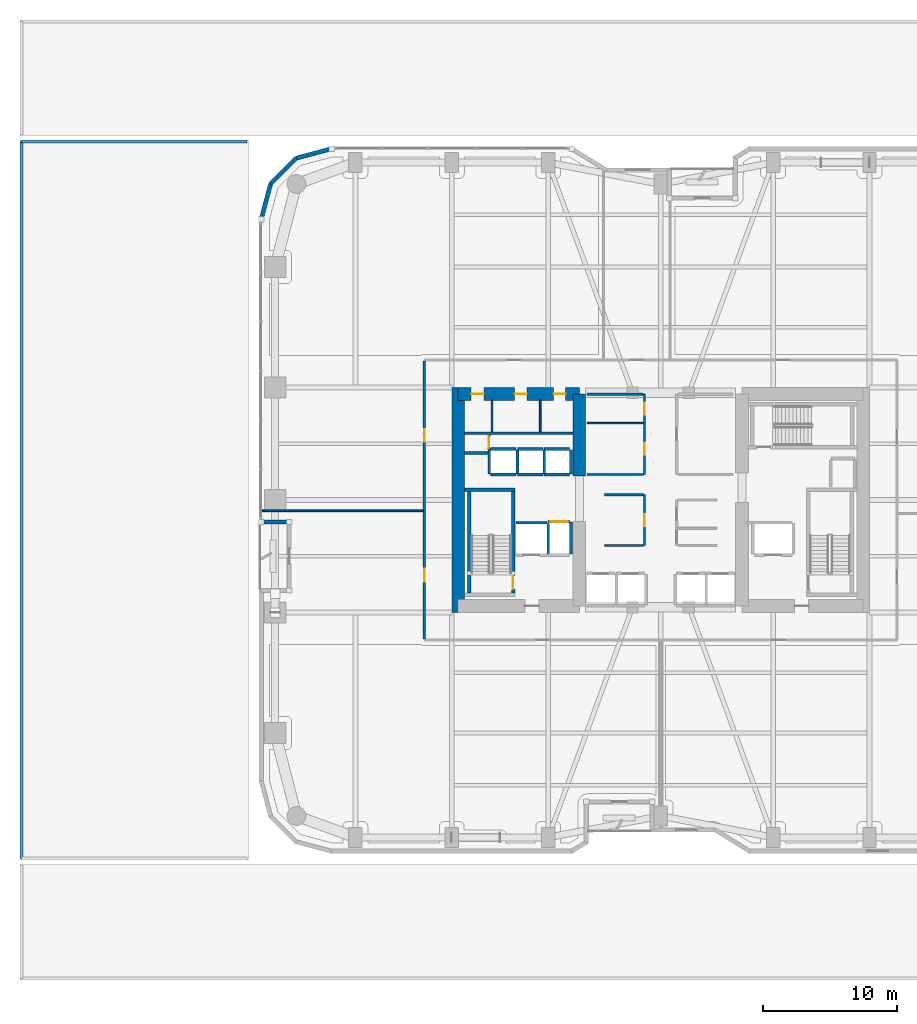
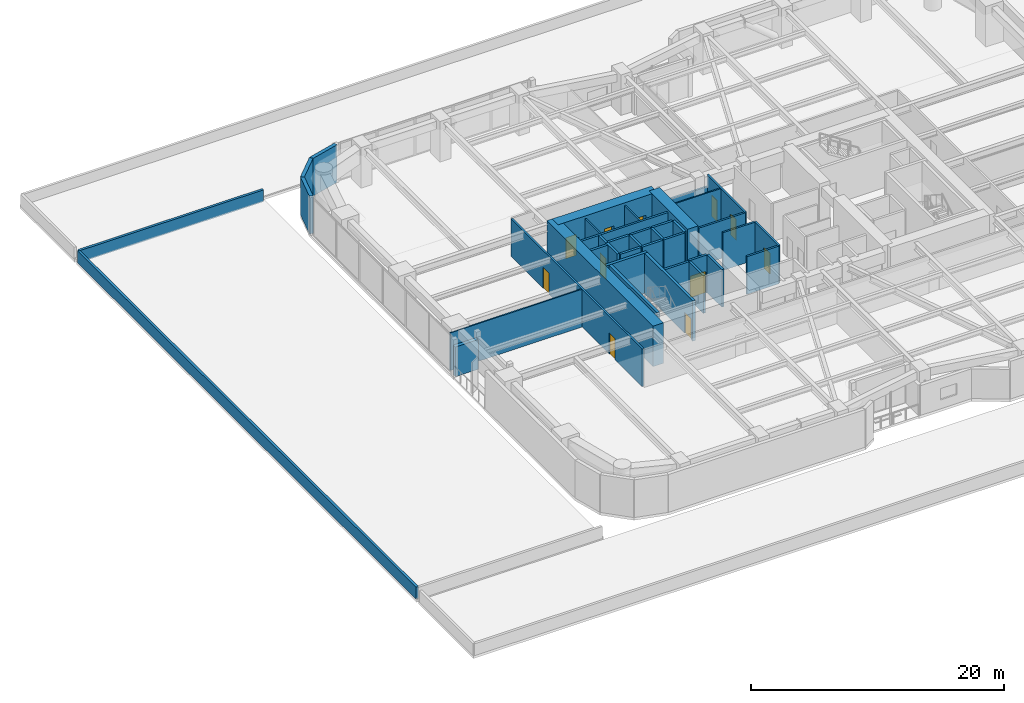
# One storey, part 29 of 38: 40 walls, 11 doors, 11 openings.
"""IFC4 building model written with IfcOpenShell, lengths in metres."""

from ifc_helpers import new_model, si_unit, direction, frame, frame_2d, origin, place, context, subcontext, project, spatial, rectangle, extrude, material, layer, layer_set, type_object, element, fill, save


model = new_model("IFC4")

# Units and contexts
model_context = context("Model", 3, precision=1e-05, world=origin(), true_north=direction((0.0, 1.0)))
body_context = subcontext(model_context, "Body", "Model", "MODEL_VIEW")
ifc_project = project(units=[si_unit("LENGTHUNIT", "METRE"), si_unit("AREAUNIT", "SQUARE_METRE"), si_unit("VOLUMEUNIT", "CUBIC_METRE"), si_unit("PLANEANGLEUNIT", "RADIAN"), si_unit("MASSUNIT", "GRAM", prefix="KILO")], contexts=[model_context])

# Site, building, storey
site_placement = place(None, origin())
site = spatial("IfcSite", under=ifc_project, at=site_placement, CompositionType="ELEMENT")
building_placement = place(site_placement, origin())
building = spatial("IfcBuilding", under=site, at=building_placement, Name="Kiyonajd Concourse Tower", CompositionType="ELEMENT")
storey_placement = place(building_placement, frame((0.0, 0.0, 21.60009765625)))
storey = spatial("IfcBuildingStorey", under=building, at=storey_placement, Name="L06", CompositionType="ELEMENT", Elevation=21.60009765625)

# Walls
ifc_material_1 = material(Name="Concrete C80/95", Category="concrete")
ifc_layer_1 = layer(ifc_material_1, 0.949951171875)
ifc_layer_set_1 = layer_set([ifc_layer_1], Name="Concrete C80/95")
wall_type_1 = type_object("IfcWallType", Name="WL-CORE-950", PredefinedType="SHEAR", material=ifc_layer_set_1)
wall_1_placement = place(storey_placement, frame((32.875, 27.60009765625, 0.0), z_axis=(0.0, 0.0, 1.0), x_axis=(0.0, 1.0, 0.0)))
element("IfcWall", 1, at=wall_1_placement, inside=storey, type_object=wall_type_1, Name="L06 West Core Outer Shear Wall", PredefinedType="SHEAR", context=body_context, shape_type="SweptSolid", body=[
    extrude(rectangle(XDim=16.7998046875, YDim=0.949951171875, at=frame_2d((8.39990234375, 0.0))), origin(), (0.0, 0.0, 1.0), 3.89990234375),
])
wall_2_placement = place(storey_placement, frame((41.925048828125, 37.800048828125, 0.0), z_axis=(0.0, 0.0, 1.0), x_axis=(0.0, 1.0, 0.0)))
element("IfcWall", 2, at=wall_2_placement, inside=storey, type_object=wall_type_1, Name="L06 West Core Inner North Shear Wall", PredefinedType="SHEAR", context=body_context, shape_type="SweptSolid", body=[
    extrude(rectangle(XDim=6.125, YDim=0.949951171875, at=frame_2d((3.0625, 0.0))), origin(), (0.0, 0.0, 1.0), 3.89990234375),
])

# Wall, openings, doors
wall_3_placement = place(storey_placement, frame((32.875, 43.925048828125, 0.0), z_axis=(0.0, 0.0, 1.0), x_axis=(1.0, 0.0, 0.0)))
wall_3 = element("IfcWall", 3, at=wall_3_placement, inside=storey, type_object=wall_type_1, Name="L06 West Core North Shear Wall", PredefinedType="SHEAR", context=body_context, shape_type="SweptSolid", body=[
    extrude(rectangle(XDim=9.050048828125, YDim=0.949951171875, at=frame_2d((4.52490234375, 0.0))), origin(), (0.0, 0.0, 1.0), 3.89990234375),
])
opening_1_placement = place(wall_3_placement, frame((0.97509765625, 0.0, 0.0)))
opening_1 = element("IfcOpeningElement", 4, at=opening_1_placement, cuts=wall_3, Name="Opening DI1", PredefinedType="OPENING", context=body_context, shape_type="SweptSolid", body=[
    extrude(rectangle(XDim=0.949951171875, YDim=2.0400390625, at=frame_2d((0.47509765625, 1.02001953125))), frame((0.0, 0.48486328125, 0.0), z_axis=(0.0, -1.0, 0.0), x_axis=(1.0, 0.0, 0.0)), (0.0, 0.0, 1.0), 0.969970703125),
])
opening_2_placement = place(wall_3_placement, frame((4.22509765625, 0.0, 0.0)))
opening_2 = element("IfcOpeningElement", 5, at=opening_2_placement, cuts=wall_3, Name="Opening DI2", PredefinedType="OPENING", context=body_context, shape_type="SweptSolid", body=[
    extrude(rectangle(XDim=0.89990234375, YDim=2.02001953125, at=frame_2d((0.449951171875, 1.010009765625))), frame((0.0, 0.48486328125, 0.0), z_axis=(0.0, -1.0, 0.0), x_axis=(1.0, 0.0, 0.0)), (0.0, 0.0, 1.0), 0.969970703125),
])
opening_3_placement = place(wall_3_placement, frame((7.125, 0.0, 0.0)))
opening_3 = element("IfcOpeningElement", 6, at=opening_3_placement, cuts=wall_3, Name="Opening DI2", PredefinedType="OPENING", context=body_context, shape_type="SweptSolid", body=[
    extrude(rectangle(XDim=0.89990234375, YDim=2.02001953125, at=frame_2d((0.449951171875, 1.010009765625))), frame((0.0, 0.48486328125, 0.0), z_axis=(0.0, -1.0, 0.0), x_axis=(1.0, 0.0, 0.0)), (0.0, 0.0, 1.0), 0.969970703125),
])
ifc_material_2 = material(Name="Natural Oak Acoustic Timber Veneer", Category="wood")
door_type_1 = type_object("IfcDoorType", Name="DR-INT-900", OperationType="NOTDEFINED", PredefinedType="DOOR", material=ifc_material_2)
door_1_placement = place(opening_2_placement, origin())
door_1 = element("IfcDoor", 7, at=door_1_placement, inside=storey, type_object=door_type_1, Name="L06 Male Restroom Door", OperationType="SINGLE_SWING_RIGHT", OverallHeight=2.02001953125, OverallWidth=0.89990234375, PredefinedType="DOOR", context=body_context, shape_type="SweptSolid", body=[
    extrude(rectangle(XDim=0.89990234375, YDim=2.02001953125, at=frame_2d((0.449951171875, 1.010009765625))), frame((0.0, 0.02490234375, 0.0), z_axis=(0.0, -1.0, 0.0), x_axis=(1.0, 0.0, 0.0)), (0.0, 0.0, 1.0), 0.050048828125),
])
fill(opening_2, door_1)
door_2_placement = place(opening_3_placement, origin())
door_2 = element("IfcDoor", 8, at=door_2_placement, inside=storey, type_object=door_type_1, Name="L06 Female Restroom Door", OperationType="SINGLE_SWING_LEFT", OverallHeight=2.02001953125, OverallWidth=0.89990234375, PredefinedType="DOOR", context=body_context, shape_type="SweptSolid", body=[
    extrude(rectangle(XDim=0.89990234375, YDim=2.02001953125, at=frame_2d((0.449951171875, 1.010009765625))), frame((0.0, 0.02490234375, 0.0), z_axis=(0.0, -1.0, 0.0), x_axis=(1.0, 0.0, 0.0)), (0.0, 0.0, 1.0), 0.050048828125),
])
fill(opening_3, door_2)
door_type_2 = type_object("IfcDoorType", Name="DR-INT-950", OperationType="NOTDEFINED", PredefinedType="DOOR", material=ifc_material_2)
door_3_placement = place(opening_1_placement, origin())
door_3 = element("IfcDoor", 9, at=door_3_placement, inside=storey, type_object=door_type_2, Name="L06 Single User Accessible WC Door", OperationType="SINGLE_SWING_LEFT", OverallHeight=2.0400390625, OverallWidth=0.949951171875, PredefinedType="DOOR", context=body_context, shape_type="SweptSolid", body=[
    extrude(rectangle(XDim=0.949951171875, YDim=2.0400390625, at=frame_2d((0.47509765625, 1.02001953125))), frame((0.0, 0.02490234375, 0.0), z_axis=(0.0, -1.0, 0.0), x_axis=(1.0, 0.0, 0.0)), (0.0, 0.0, 1.0), 0.050048828125),
])
fill(opening_1, door_3)

# Walls
ifc_material_3 = material(Name="Precast concrete C50/60", Category="concrete")
ifc_layer_2 = layer(ifc_material_3, 0.320068359375)
ifc_layer_set_2 = layer_set([ifc_layer_2], Name="Precast concrete C50/60")
wall_type_2 = type_object("IfcWallType", Name="WL-EXT-320", PredefinedType="SOLIDWALL", material=ifc_layer_set_2)
wall_4_placement = place(storey_placement, frame((20.260009765625, 34.360107421875, 0.0), z_axis=(0.0, 0.0, 1.0), x_axis=(-1.0, 0.0, 0.0)))
element("IfcWall", 10, at=wall_4_placement, inside=storey, type_object=wall_type_2, Name="L06 Exterior Concrete Frame Wall 04", PredefinedType="SOLIDWALL", context=body_context, shape_type="SweptSolid", body=[
    extrude(rectangle(XDim=2.10009765625, YDim=0.320068359375, at=frame_2d((1.050048828125, 0.0))), origin(), (0.0, 0.0, 1.0), 2.875),
])
wall_5_placement = place(storey_placement, frame((18.159912109375, 56.97900390625, 0.0), z_axis=(0.0, 0.0, 1.0), x_axis=(0.25869736047, 0.965958423373, 0.0)))
element("IfcWall", 11, at=wall_5_placement, inside=storey, type_object=wall_type_2, Name="L06 Exterior Concrete Frame Wall 06", PredefinedType="SOLIDWALL", context=body_context, shape_type="SweptSolid", body=[
    extrude(rectangle(XDim=2.731201171875, YDim=0.320068359375, at=frame_2d((1.36572265625, 0.0))), origin(), (0.0, 0.0, 1.0), 3.639892578125),
])
wall_6_placement = place(storey_placement, frame((18.866455078125, 59.6171875, 0.0), z_axis=(0.0, 0.0, 1.0), x_axis=(0.707106781187, 0.707106781187, 0.0)))
element("IfcWall", 12, at=wall_6_placement, inside=storey, type_object=wall_type_2, Name="L06 Exterior Concrete Frame Wall 07", PredefinedType="SOLIDWALL", context=body_context, shape_type="SweptSolid", body=[
    extrude(rectangle(XDim=2.7099609375, YDim=0.320068359375, at=frame_2d((1.35498046875, 0.0))), origin(), (0.0, 0.0, 1.0), 3.639892578125),
])
wall_7_placement = place(storey_placement, frame((20.78271484375, 61.533447265625, 0.0), z_axis=(0.0, 0.0, 1.0), x_axis=(0.965964405026, 0.25867502435, 0.0)))
element("IfcWall", 13, at=wall_7_placement, inside=storey, type_object=wall_type_2, Name="L06 Exterior Concrete Frame Wall 08", PredefinedType="SOLIDWALL", context=body_context, shape_type="SweptSolid", body=[
    extrude(rectangle(XDim=2.7314453125, YDim=0.320068359375, at=frame_2d((1.36572265625, 0.0))), origin(), (0.0, 0.0, 1.0), 3.639892578125),
])
ifc_layer_3 = layer(ifc_material_3, 0.219970703125)
ifc_layer_set_3 = layer_set([ifc_layer_3], Name="Precast concrete C50/60")
wall_type_3 = type_object("IfcWallType", Name="WL-PAR-220", PredefinedType="PARAPET", material=ifc_layer_set_3)
wall_8_placement = place(storey_placement, frame((0.260009765625, 62.7900390625, 0.0), z_axis=(0.0, 0.0, 1.0), x_axis=(1.0, 0.0, 0.0)))
element("IfcWall", 14, at=wall_8_placement, inside=storey, type_object=wall_type_3, Name="L06 Setback Roof Parapet 01", PredefinedType="PARAPET", context=body_context, shape_type="SweptSolid", body=[
    extrude(rectangle(XDim=16.830078125, YDim=0.219970703125, at=frame_2d((8.4150390625, 0.0))), origin(), (0.0, 0.0, 1.0), 1.14990234375),
])
wall_9_placement = place(storey_placement, frame((0.260009765625, 9.2099609375, 0.0), z_axis=(0.0, 0.0, 1.0), x_axis=(0.0, 1.0, 0.0)))
element("IfcWall", 15, at=wall_9_placement, inside=storey, type_object=wall_type_3, Name="L06 Setback Roof Parapet 04", PredefinedType="PARAPET", context=body_context, shape_type="SweptSolid", body=[
    extrude(rectangle(XDim=53.580078125, YDim=0.219970703125, at=frame_2d((26.7900390625, 0.0))), origin(), (0.0, 0.0, 1.0), 1.14990234375),
])
ifc_material_4 = material(Name="Gypsum Board on Cold-Formed Steel Stud", Category="steel")
ifc_layer_4 = layer(ifc_material_4, 0.125)
ifc_layer_set_4 = layer_set([ifc_layer_4], Name="Gypsum Board on Cold-Formed Steel Stud")
wall_type_4 = type_object("IfcWallType", Name="WL-PART-125", PredefinedType="PARTITIONING", material=ifc_layer_set_4)
for number, where, z_axis, x_axis, name in (
    (16, (35.39990234375, 41.094970703125, 0.0), (0.0, 0.0, 1.0), (0.0, 1.0, 0.0), "L06 Interior Partition Wall"),
    (17, (39.0, 41.094970703125, 0.0), (0.0, 0.0, 1.0), (0.0, 1.0, 0.0), "L06 Interior Partition Wall"),
):
    element("IfcWall", number, at=place(storey_placement, frame(where, z_axis=z_axis, x_axis=x_axis)), inside=storey, type_object=wall_type_4, Name=name, PredefinedType="PARTITIONING", context=body_context, shape_type="SweptSolid", body=[
        extrude(rectangle(XDim=2.35498046875, YDim=0.125, at=frame_2d((1.177490234375, 0.0))), origin(), (0.0, 0.0, 1.0), 3.639892578125),
    ])
wall_10_placement = place(storey_placement, frame((42.5, 41.739990234375, 0.0), z_axis=(0.0, 0.0, 1.0), x_axis=(1.0, 0.0, 0.0)))
element("IfcWall", 18, at=wall_10_placement, inside=storey, type_object=wall_type_4, Name="L06 Interior Partition Wall", PredefinedType="PARTITIONING", context=body_context, shape_type="SweptSolid", body=[
    extrude(rectangle(XDim=4.212890625, YDim=0.125, at=frame_2d((2.1064453125, 0.0))), origin(), (0.0, 0.0, 1.0), 3.639892578125),
])
wall_11_placement = place(storey_placement, frame((18.2451171875, 35.199951171875, 0.0), z_axis=(0.0, 0.0, 1.0), x_axis=(1.0, 0.0, 0.0)))
element("IfcWall", 19, at=wall_11_placement, inside=storey, type_object=wall_type_4, Name="L06 Interior Partition Wall", PredefinedType="PARTITIONING", context=body_context, shape_type="SweptSolid", body=[
    extrude(rectangle(XDim=12.017822265625, YDim=0.125, at=frame_2d((6.0087890625, 0.0))), origin(), (0.0, 0.0, 1.0), 3.639892578125),
])
ifc_layer_5 = layer(ifc_material_4, 0.18994140625)
ifc_layer_set_5 = layer_set([ifc_layer_5], Name="Gypsum Board on Cold-Formed Steel Stud")
wall_type_5 = type_object("IfcWallType", Name="WL-PLMB-190", PredefinedType="PLUMBINGWALL", material=ifc_layer_set_5)
wall_12_placement = place(storey_placement, frame((33.35009765625, 41.0, 0.0), z_axis=(0.0, 0.0, 1.0), x_axis=(1.0, 0.0, 0.0)))
element("IfcWall", 20, at=wall_12_placement, inside=storey, type_object=wall_type_5, Name="L06 Interior Partition Wall", PredefinedType="PLUMBINGWALL", context=body_context, shape_type="SweptSolid", body=[
    extrude(rectangle(XDim=8.099853515625, YDim=0.18994140625, at=frame_2d((4.0498046875, 0.0))), origin(), (0.0, 0.0, 1.0), 3.639892578125),
])
ifc_layer_6 = layer(ifc_material_4, 0.2099609375)
ifc_layer_set_6 = layer_set([ifc_layer_6], Name="Gypsum Board on Cold-Formed Steel Stud")
wall_type_6 = type_object("IfcWallType", Name="WL-SHAFT-210", PredefinedType="PARTITIONING", material=ifc_layer_set_6)
wall_13_placement = place(storey_placement, frame((33.360107421875, 39.5, 0.0), z_axis=(0.0, 0.0, 1.0), x_axis=(1.0, 0.0, 0.0)))
element("IfcWall", 21, at=wall_13_placement, inside=storey, type_object=wall_type_6, Name="L06 Shaft Enclosure Wall", PredefinedType="PARTITIONING", context=body_context, shape_type="SweptSolid", body=[
    extrude(rectangle(XDim=1.85986328125, YDim=0.2099609375, at=frame_2d((0.929931640625, 0.0))), origin(), (0.0, 0.0, 1.0), 3.639892578125),
])
wall_14_placement = place(storey_placement, frame((37.199951171875, 34.300048828125, 0.0), z_axis=(0.0, 0.0, 1.0), x_axis=(1.0, 0.0, 0.0)))
element("IfcWall", 22, at=wall_14_placement, inside=storey, type_object=wall_type_6, Name="L06 Shaft Enclosure Wall", PredefinedType="PARTITIONING", context=body_context, shape_type="SweptSolid", body=[
    extrude(rectangle(XDim=2.300048828125, YDim=0.2099609375, at=frame_2d((1.14990234375, 0.0))), origin(), (0.0, 0.0, 1.0), 3.639892578125),
])
wall_15_placement = place(storey_placement, frame((39.60009765625, 31.9599609375, 0.0), z_axis=(0.0, 0.0, 1.0), x_axis=(0.0, 1.0, 0.0)))
element("IfcWall", 23, at=wall_15_placement, inside=storey, type_object=wall_type_6, Name="L06 Shaft Enclosure Wall", PredefinedType="PARTITIONING", context=body_context, shape_type="SweptSolid", body=[
    extrude(rectangle(XDim=2.280029296875, YDim=0.2099609375, at=frame_2d((1.14013671875, 0.0))), origin(), (0.0, 0.0, 1.0), 3.639892578125),
])

# Wall, opening, door
wall_16_placement = place(storey_placement, frame((39.60009765625, 34.39990234375, 0.0), z_axis=(0.0, 0.0, 1.0), x_axis=(1.0, 0.0, 0.0)))
wall_16 = element("IfcWall", 24, at=wall_16_placement, inside=storey, type_object=wall_type_6, Name="L06 Shaft Enclosure Wall", PredefinedType="PARTITIONING", context=body_context, shape_type="SweptSolid", body=[
    extrude(rectangle(XDim=1.599853515625, YDim=0.2099609375, at=frame_2d((0.7998046875, 0.0))), origin(), (0.0, 0.0, 1.0), 3.639892578125),
])
opening_4_placement = place(wall_16_placement, frame((0.10009765625, 0.0, 0.0)))
opening_4 = element("IfcOpeningElement", 25, at=opening_4_placement, cuts=wall_16, Name="Opening LD3", PredefinedType="OPENING", context=body_context, shape_type="SweptSolid", body=[
    extrude(rectangle(XDim=1.39990234375, YDim=2.06005859375, at=frame_2d((0.699951171875, 1.030029296875))), frame((0.0, 0.114990234375, 0.0), z_axis=(0.0, -1.0, 0.0), x_axis=(1.0, 0.0, 0.0)), (0.0, 0.0, 1.0), 0.22998046875),
])
ifc_material_5 = material(Name="Brushed Stainless Steel Cab Assembly", Category="steel")
door_type_3 = type_object("IfcDoorType", Name="DR-LD-1400", OperationType="DOUBLE_DOOR_SLIDING", PredefinedType="DOOR", material=ifc_material_5)
door_4_placement = place(opening_4_placement, origin())
door_4 = element("IfcDoor", 26, at=door_4_placement, inside=storey, type_object=door_type_3, Name="L06 Lift SVL1 Sliding Landing Door", OperationType="DOUBLE_DOOR_SLIDING", OverallHeight=2.06005859375, OverallWidth=1.39990234375, PredefinedType="DOOR", context=body_context, shape_type="SweptSolid", body=[
    extrude(rectangle(XDim=1.39990234375, YDim=2.06005859375, at=frame_2d((0.699951171875, 1.030029296875))), frame((0.0, 0.02490234375, 0.0), z_axis=(0.0, -1.0, 0.0), x_axis=(1.0, 0.0, 0.0)), (0.0, 0.0, 1.0), 0.050048828125),
])
fill(opening_4, door_4)

# Walls
wall_17_placement = place(storey_placement, frame((41.300048828125, 31.9599609375, 0.0), z_axis=(0.0, 0.0, 1.0), x_axis=(0.0, 1.0, 0.0)))
element("IfcWall", 27, at=wall_17_placement, inside=storey, type_object=wall_type_6, Name="L06 Shaft Enclosure Wall", PredefinedType="PARTITIONING", context=body_context, shape_type="SweptSolid", body=[
    extrude(rectangle(XDim=2.380126953125, YDim=0.2099609375, at=frame_2d((1.18994140625, 0.0))), origin(), (0.0, 0.0, 1.0), 3.639892578125),
])
for number, where, z_axis, x_axis, name in (
    (28, (35.300048828125, 37.89990234375, 0.0), (0.0, 0.0, 1.0), (1.0, 0.0, 0.0), "L06 Shaft Enclosure Wall"),
    (29, (35.300048828125, 39.800048828125, 0.0), (0.0, 0.0, 1.0), (1.0, 0.0, 0.0), "L06 Shaft Enclosure Wall"),
):
    element("IfcWall", number, at=place(storey_placement, frame(where, z_axis=z_axis, x_axis=x_axis)), inside=storey, type_object=wall_type_6, Name=name, PredefinedType="PARTITIONING", context=body_context, shape_type="SweptSolid", body=[
        extrude(rectangle(XDim=1.89990234375, YDim=0.2099609375, at=frame_2d((0.949951171875, 0.0))), origin(), (0.0, 0.0, 1.0), 3.639892578125),
    ])
for number, where, z_axis, x_axis, name in (
    (30, (35.199951171875, 37.9599609375, 0.0), (0.0, 0.0, 1.0), (0.0, 1.0, 0.0), "L06 Shaft Enclosure Wall"),
    (31, (37.300048828125, 37.9599609375, 0.0), (0.0, 0.0, 1.0), (0.0, 1.0, 0.0), "L06 Shaft Enclosure Wall"),
):
    element("IfcWall", number, at=place(storey_placement, frame(where, z_axis=z_axis, x_axis=x_axis)), inside=storey, type_object=wall_type_6, Name=name, PredefinedType="PARTITIONING", context=body_context, shape_type="SweptSolid", body=[
        extrude(rectangle(XDim=1.780029296875, YDim=0.2099609375, at=frame_2d((0.89013671875, 0.0))), origin(), (0.0, 0.0, 1.0), 3.639892578125),
    ])
for number, where, z_axis, x_axis, name in (
    (32, (37.300048828125, 37.89990234375, 0.0), (0.0, 0.0, 1.0), (1.0, 0.0, 0.0), "L06 Shaft Enclosure Wall"),
    (33, (37.300048828125, 39.800048828125, 0.0), (0.0, 0.0, 1.0), (1.0, 0.0, 0.0), "L06 Shaft Enclosure Wall"),
):
    element("IfcWall", number, at=place(storey_placement, frame(where, z_axis=z_axis, x_axis=x_axis)), inside=storey, type_object=wall_type_6, Name=name, PredefinedType="PARTITIONING", context=body_context, shape_type="SweptSolid", body=[
        extrude(rectangle(XDim=1.89990234375, YDim=0.2099609375, at=frame_2d((0.949951171875, 0.0))), origin(), (0.0, 0.0, 1.0), 3.639892578125),
    ])
wall_18_placement = place(storey_placement, frame((39.300048828125, 37.9599609375, 0.0), z_axis=(0.0, 0.0, 1.0), x_axis=(0.0, 1.0, 0.0)))
element("IfcWall", 34, at=wall_18_placement, inside=storey, type_object=wall_type_6, Name="L06 Shaft Enclosure Wall", PredefinedType="PARTITIONING", context=body_context, shape_type="SweptSolid", body=[
    extrude(rectangle(XDim=1.780029296875, YDim=0.2099609375, at=frame_2d((0.89013671875, 0.0))), origin(), (0.0, 0.0, 1.0), 3.639892578125),
])
for number, where, z_axis, x_axis, name in (
    (35, (39.300048828125, 37.89990234375, 0.0), (0.0, 0.0, 1.0), (1.0, 0.0, 0.0), "L06 Shaft Enclosure Wall"),
    (36, (39.300048828125, 39.800048828125, 0.0), (0.0, 0.0, 1.0), (1.0, 0.0, 0.0), "L06 Shaft Enclosure Wall"),
):
    element("IfcWall", number, at=place(storey_placement, frame(where, z_axis=z_axis, x_axis=x_axis)), inside=storey, type_object=wall_type_6, Name=name, PredefinedType="PARTITIONING", context=body_context, shape_type="SweptSolid", body=[
        extrude(rectangle(XDim=1.89990234375, YDim=0.2099609375, at=frame_2d((0.949951171875, 0.0))), origin(), (0.0, 0.0, 1.0), 3.639892578125),
    ])
wall_19_placement = place(storey_placement, frame((41.300048828125, 37.9599609375, 0.0), z_axis=(0.0, 0.0, 1.0), x_axis=(0.0, 1.0, 0.0)))
element("IfcWall", 37, at=wall_19_placement, inside=storey, type_object=wall_type_6, Name="L06 Shaft Enclosure Wall", PredefinedType="PARTITIONING", context=body_context, shape_type="SweptSolid", body=[
    extrude(rectangle(XDim=1.780029296875, YDim=0.2099609375, at=frame_2d((0.89013671875, 0.0))), origin(), (0.0, 0.0, 1.0), 3.639892578125),
])

# Wall, opening, door
wall_20_placement = place(storey_placement, frame((35.179931640625, 39.739990234375, 0.0), z_axis=(0.0, 0.0, 1.0), x_axis=(0.0, 1.0, 0.0)))
wall_20 = element("IfcWall", 38, at=wall_20_placement, inside=storey, type_object=wall_type_6, Name="L06 Interior Partition Wall", PredefinedType="PARTITIONING", context=body_context, shape_type="SweptSolid", body=[
    extrude(rectangle(XDim=1.159912109375, YDim=0.2099609375, at=frame_2d((0.580078125, 0.0))), origin(), (0.0, 0.0, 1.0), 3.639892578125),
])
opening_5_placement = place(wall_20_placement, frame((0.10498046875, 0.0, 0.0)))
opening_5 = element("IfcOpeningElement", 39, at=opening_5_placement, cuts=wall_20, Name="Opening DF3", PredefinedType="OPENING", context=body_context, shape_type="SweptSolid", body=[
    extrude(rectangle(XDim=0.949951171875, YDim=2.0400390625, at=frame_2d((0.47509765625, 1.02001953125))), frame((0.0, 0.114990234375, 0.0), z_axis=(0.0, -1.0, 0.0), x_axis=(1.0, 0.0, 0.0)), (0.0, 0.0, 1.0), 0.22998046875),
])
door_type_4 = type_object("IfcDoorType", Name="DR-FD60-950", OperationType="NOTDEFINED", PredefinedType="DOOR", material=ifc_material_5)
door_5_placement = place(opening_5_placement, origin())
door_5 = element("IfcDoor", 40, at=door_5_placement, inside=storey, type_object=door_type_4, Name="L06 Electrical Riser Access Door", OperationType="SINGLE_SWING_LEFT", OverallHeight=2.0400390625, OverallWidth=0.949951171875, PredefinedType="DOOR", context=body_context, shape_type="SweptSolid", body=[
    extrude(rectangle(XDim=0.949951171875, YDim=2.0400390625, at=frame_2d((0.47509765625, 1.02001953125))), frame((0.0, 0.02490234375, 0.0), z_axis=(0.0, -1.0, 0.0), x_axis=(1.0, 0.0, 0.0)), (0.0, 0.0, 1.0), 0.050048828125),
])
fill(opening_5, door_5)

ifc_layer_7 = layer(ifc_material_4, 0.169921875)
ifc_layer_set_7 = layer_set([ifc_layer_7], Name="Gypsum Board on Cold-Formed Steel Stud")
wall_type_7 = type_object("IfcWallType", Name="WL-SMK-170", PredefinedType="PARTITIONING", material=ifc_layer_set_7)
wall_21_placement = place(storey_placement, frame((46.800048828125, 32.60009765625, 0.0), z_axis=(0.0, 0.0, 1.0), x_axis=(0.0, 1.0, 0.0)))
wall_21 = element("IfcWall", 41, at=wall_21_placement, inside=storey, type_object=wall_type_7, Name="L06 Interior Partition Wall", PredefinedType="PARTITIONING", context=body_context, shape_type="SweptSolid", body=[
    extrude(rectangle(XDim=3.7998046875, YDim=0.169921875, at=frame_2d((1.89990234375, 0.0))), origin(), (0.0, 0.0, 1.0), 3.639892578125),
])
opening_6_placement = place(wall_21_placement, frame((1.449951171875, 0.0, 0.0)))
opening_6 = element("IfcOpeningElement", 42, at=opening_6_placement, cuts=wall_21, Name="Opening DI2", PredefinedType="OPENING", context=body_context, shape_type="SweptSolid", body=[
    extrude(rectangle(XDim=0.89990234375, YDim=2.02001953125, at=frame_2d((0.449951171875, 1.010009765625))), frame((0.0, 0.094970703125, 0.0), z_axis=(0.0, -1.0, 0.0), x_axis=(1.0, 0.0, 0.0)), (0.0, 0.0, 1.0), 0.18994140625),
])
door_6_placement = place(opening_6_placement, origin())
door_6 = element("IfcDoor", 43, at=door_6_placement, inside=storey, type_object=door_type_1, Name="L06 Interior Door", OperationType="SINGLE_SWING_RIGHT", OverallHeight=2.02001953125, OverallWidth=0.89990234375, PredefinedType="DOOR", context=body_context, shape_type="SweptSolid", body=[
    extrude(rectangle(XDim=0.89990234375, YDim=2.02001953125, at=frame_2d((0.449951171875, 1.010009765625))), frame((0.0, 0.02490234375, 0.0), z_axis=(0.0, -1.0, 0.0), x_axis=(1.0, 0.0, 0.0)), (0.0, 0.0, 1.0), 0.050048828125),
])
fill(opening_6, door_6)

# Walls
for number, where, z_axis, x_axis, name in (
    (44, (43.800048828125, 32.60009765625, 0.0), (0.0, 0.0, 1.0), (1.0, 0.0, 0.0), "L06 Interior Partition Wall"),
    (45, (43.800048828125, 36.39990234375, 0.0), (0.0, 0.0, 1.0), (1.0, 0.0, 0.0), "L06 Interior Partition Wall"),
):
    element("IfcWall", number, at=place(storey_placement, frame(where, z_axis=z_axis, x_axis=x_axis)), inside=storey, type_object=wall_type_7, Name=name, PredefinedType="PARTITIONING", context=body_context, shape_type="SweptSolid", body=[
        extrude(rectangle(XDim=2.912841796875, YDim=0.169921875, at=frame_2d((1.45654296875, 0.0))), origin(), (0.0, 0.0, 1.0), 3.639892578125),
    ])

# Wall, openings, doors
wall_22_placement = place(storey_placement, frame((46.800048828125, 37.89990234375, 0.0), z_axis=(0.0, 0.0, 1.0), x_axis=(0.0, 1.0, 0.0)))
wall_22 = element("IfcWall", 46, at=wall_22_placement, inside=storey, type_object=wall_type_7, Name="L06 Interior Partition Wall", PredefinedType="PARTITIONING", context=body_context, shape_type="SweptSolid", body=[
    extrude(rectangle(XDim=6.0, YDim=0.169921875, at=frame_2d((3.0, 0.0))), origin(), (0.0, 0.0, 1.0), 3.639892578125),
])
opening_7_placement = place(wall_22_placement, frame((1.469970703125, 0.0, 0.0)))
opening_7 = element("IfcOpeningElement", 47, at=opening_7_placement, cuts=wall_22, Name="Opening DF4", PredefinedType="OPENING", context=body_context, shape_type="SweptSolid", body=[
    extrude(rectangle(XDim=0.89990234375, YDim=2.02001953125, at=frame_2d((0.449951171875, 1.010009765625))), frame((0.0, 0.094970703125, 0.0), z_axis=(0.0, -1.0, 0.0), x_axis=(1.0, 0.0, 0.0)), (0.0, 0.0, 1.0), 0.18994140625),
])
opening_8_placement = place(wall_22_placement, frame((4.469970703125, 0.0, 0.0)))
opening_8 = element("IfcOpeningElement", 48, at=opening_8_placement, cuts=wall_22, Name="Opening DF4", PredefinedType="OPENING", context=body_context, shape_type="SweptSolid", body=[
    extrude(rectangle(XDim=0.89990234375, YDim=2.02001953125, at=frame_2d((0.449951171875, 1.010009765625))), frame((0.0, 0.094970703125, 0.0), z_axis=(0.0, -1.0, 0.0), x_axis=(1.0, 0.0, 0.0)), (0.0, 0.0, 1.0), 0.18994140625),
])
door_type_5 = type_object("IfcDoorType", Name="DR-FD60-900", OperationType="NOTDEFINED", PredefinedType="DOOR", material=ifc_material_5)
door_7_placement = place(opening_7_placement, origin())
door_7 = element("IfcDoor", 49, at=door_7_placement, inside=storey, type_object=door_type_5, Name="L06 Interior Door", OperationType="SINGLE_SWING_LEFT", OverallHeight=2.02001953125, OverallWidth=0.89990234375, PredefinedType="DOOR", context=body_context, shape_type="SweptSolid", body=[
    extrude(rectangle(XDim=0.89990234375, YDim=2.02001953125, at=frame_2d((0.449951171875, 1.010009765625))), frame((0.0, 0.02490234375, 0.0), z_axis=(0.0, -1.0, 0.0), x_axis=(1.0, 0.0, 0.0)), (0.0, 0.0, 1.0), 0.050048828125),
])
fill(opening_7, door_7)
door_8_placement = place(opening_8_placement, origin())
door_8 = element("IfcDoor", 50, at=door_8_placement, inside=storey, type_object=door_type_5, Name="L06 Interior Door", OperationType="SINGLE_SWING_RIGHT", OverallHeight=2.02001953125, OverallWidth=0.89990234375, PredefinedType="DOOR", context=body_context, shape_type="SweptSolid", body=[
    extrude(rectangle(XDim=0.89990234375, YDim=2.02001953125, at=frame_2d((0.449951171875, 1.010009765625))), frame((0.0, 0.02490234375, 0.0), z_axis=(0.0, -1.0, 0.0), x_axis=(1.0, 0.0, 0.0)), (0.0, 0.0, 1.0), 0.050048828125),
])
fill(opening_8, door_8)

# Walls
wall_23_placement = place(storey_placement, frame((42.5, 37.89990234375, 0.0), z_axis=(0.0, 0.0, 1.0), x_axis=(1.0, 0.0, 0.0)))
element("IfcWall", 51, at=wall_23_placement, inside=storey, type_object=wall_type_7, Name="L06 Interior Partition Wall", PredefinedType="PARTITIONING", context=body_context, shape_type="SweptSolid", body=[
    extrude(rectangle(XDim=4.212890625, YDim=0.169921875, at=frame_2d((2.1064453125, 0.0))), origin(), (0.0, 0.0, 1.0), 3.639892578125),
])
wall_24_placement = place(storey_placement, frame((42.5, 43.89990234375, 0.0), z_axis=(0.0, 0.0, 1.0), x_axis=(1.0, 0.0, 0.0)))
element("IfcWall", 52, at=wall_24_placement, inside=storey, type_object=wall_type_7, Name="L06 Interior Partition Wall", PredefinedType="PARTITIONING", context=body_context, shape_type="SweptSolid", body=[
    extrude(rectangle(XDim=4.212890625, YDim=0.169921875, at=frame_2d((2.1064453125, 0.0))), origin(), (0.0, 0.0, 1.0), 2.52490234375),
])

# Wall, openings, doors
wall_25_placement = place(storey_placement, frame((30.35009765625, 25.636962890625, 0.0), z_axis=(0.0, 0.0, 1.0), x_axis=(0.0, 1.0, 0.0)))
wall_25 = element("IfcWall", 53, at=wall_25_placement, inside=storey, type_object=wall_type_7, Name="L06 Interior Partition Wall", PredefinedType="PARTITIONING", context=body_context, shape_type="SweptSolid", body=[
    extrude(rectangle(XDim=20.72607421875, YDim=0.169921875, at=frame_2d((10.363037109375, 0.0))), origin(), (0.0, 0.0, 1.0), 3.639892578125),
])
opening_9_placement = place(wall_25_placement, frame((4.262939453125, 0.0, 0.0)))
opening_9 = element("IfcOpeningElement", 54, at=opening_9_placement, cuts=wall_25, Name="Opening DI1", PredefinedType="OPENING", context=body_context, shape_type="SweptSolid", body=[
    extrude(rectangle(XDim=0.949951171875, YDim=2.0400390625, at=frame_2d((0.47509765625, 1.02001953125))), frame((0.0, 0.094970703125, 0.0), z_axis=(0.0, -1.0, 0.0), x_axis=(1.0, 0.0, 0.0)), (0.0, 0.0, 1.0), 0.18994140625),
])
opening_10_placement = place(wall_25_placement, frame((14.712890625, 0.0, 0.0)))
opening_10 = element("IfcOpeningElement", 55, at=opening_10_placement, cuts=wall_25, Name="Opening DI1", PredefinedType="OPENING", context=body_context, shape_type="SweptSolid", body=[
    extrude(rectangle(XDim=0.949951171875, YDim=2.0400390625, at=frame_2d((0.47509765625, 1.02001953125))), frame((0.0, 0.094970703125, 0.0), z_axis=(0.0, -1.0, 0.0), x_axis=(1.0, 0.0, 0.0)), (0.0, 0.0, 1.0), 0.18994140625),
])
door_9_placement = place(opening_9_placement, origin())
door_9 = element("IfcDoor", 56, at=door_9_placement, inside=storey, type_object=door_type_2, Name="L06 Interior Door", OperationType="SINGLE_SWING_LEFT", OverallHeight=2.0400390625, OverallWidth=0.949951171875, PredefinedType="DOOR", context=body_context, shape_type="SweptSolid", body=[
    extrude(rectangle(XDim=0.949951171875, YDim=2.0400390625, at=frame_2d((0.47509765625, 1.02001953125))), frame((0.0, 0.02490234375, 0.0), z_axis=(0.0, -1.0, 0.0), x_axis=(1.0, 0.0, 0.0)), (0.0, 0.0, 1.0), 0.050048828125),
])
fill(opening_9, door_9)
door_10_placement = place(opening_10_placement, origin())
door_10 = element("IfcDoor", 57, at=door_10_placement, inside=storey, type_object=door_type_2, Name="L06 Interior Door", OperationType="SINGLE_SWING_RIGHT", OverallHeight=2.0400390625, OverallWidth=0.949951171875, PredefinedType="DOOR", context=body_context, shape_type="SweptSolid", body=[
    extrude(rectangle(XDim=0.949951171875, YDim=2.0400390625, at=frame_2d((0.47509765625, 1.02001953125))), frame((0.0, 0.02490234375, 0.0), z_axis=(0.0, -1.0, 0.0), x_axis=(1.0, 0.0, 0.0)), (0.0, 0.0, 1.0), 0.050048828125),
])
fill(opening_10, door_10)

# Walls
ifc_material_6 = material(Name="Concrete C50/60", Category="concrete")
ifc_layer_8 = layer(ifc_material_6, 0.260009765625)
ifc_layer_set_8 = layer_set([ifc_layer_8], Name="Concrete C50/60")
wall_type_8 = type_object("IfcWallType", Name="WL-STAIR-260", PredefinedType="SHEAR", material=ifc_layer_set_8)
wall_26_placement = place(storey_placement, frame((33.35009765625, 36.780029296875, 0.0), z_axis=(0.0, 0.0, 1.0), x_axis=(1.0, 0.0, 0.0)))
element("IfcWall", 58, at=wall_26_placement, inside=storey, type_object=wall_type_8, Name="L06 Stair ST1 Structural North Wall", PredefinedType="SHEAR", context=body_context, shape_type="SweptSolid", body=[
    extrude(rectangle(XDim=3.760009765625, YDim=0.260009765625, at=frame_2d((1.8798828125, 0.0))), origin(), (0.0, 0.0, 1.0), 3.89990234375),
])
wall_27_placement = place(storey_placement, frame((33.719970703125, 29.050048828125, 0.0), z_axis=(0.0, 0.0, 1.0), x_axis=(0.0, 1.0, 0.0)))
element("IfcWall", 59, at=wall_27_placement, inside=storey, type_object=wall_type_8, Name="L06 Stair ST1 Structural West Wall", PredefinedType="SHEAR", context=body_context, shape_type="SweptSolid", body=[
    extrude(rectangle(XDim=7.599853515625, YDim=0.260009765625, at=frame_2d((3.7998046875, 0.0))), origin(), (0.0, 0.0, 1.0), 3.89990234375),
])

# Wall, opening, door
wall_28_placement = place(storey_placement, frame((36.97998046875, 29.050048828125, 0.0), z_axis=(0.0, 0.0, 1.0), x_axis=(0.0, 1.0, 0.0)))
wall_28 = element("IfcWall", 60, at=wall_28_placement, inside=storey, type_object=wall_type_8, Name="L06 Stair ST1 Structural East Wall", PredefinedType="SHEAR", context=body_context, shape_type="SweptSolid", body=[
    extrude(rectangle(XDim=7.599853515625, YDim=0.260009765625, at=frame_2d((3.7998046875, 0.0))), origin(), (0.0, 0.0, 1.0), 3.89990234375),
])
opening_11_placement = place(wall_28_placement, frame((0.300048828125, 0.0, 0.0)))
opening_11 = element("IfcOpeningElement", 61, at=opening_11_placement, cuts=wall_28, Name="Opening DF1", PredefinedType="OPENING", context=body_context, shape_type="SweptSolid", body=[
    extrude(rectangle(XDim=1.0, YDim=2.0400390625, at=frame_2d((0.5, 1.02001953125))), frame((0.0, 0.139892578125, 0.0), z_axis=(0.0, -1.0, 0.0), x_axis=(1.0, 0.0, 0.0)), (0.0, 0.0, 1.0), 0.280029296875),
])
door_type_6 = type_object("IfcDoorType", Name="DR-FD90-1000", OperationType="NOTDEFINED", PredefinedType="DOOR", material=ifc_material_5)
door_11_placement = place(opening_11_placement, origin())
door_11 = element("IfcDoor", 62, at=door_11_placement, inside=storey, type_object=door_type_6, Name="L06 Stair ST1 FSAE Door", OperationType="SINGLE_SWING_LEFT", OverallHeight=2.0400390625, OverallWidth=1.0, PredefinedType="DOOR", context=body_context, shape_type="SweptSolid", body=[
    extrude(rectangle(XDim=1.0, YDim=2.0400390625, at=frame_2d((0.5, 1.02001953125))), frame((0.0, 0.02490234375, 0.0), z_axis=(0.0, -1.0, 0.0), x_axis=(1.0, 0.0, 0.0)), (0.0, 0.0, 1.0), 0.050048828125),
])
fill(opening_11, door_11)

save(model, "model.ifc")
